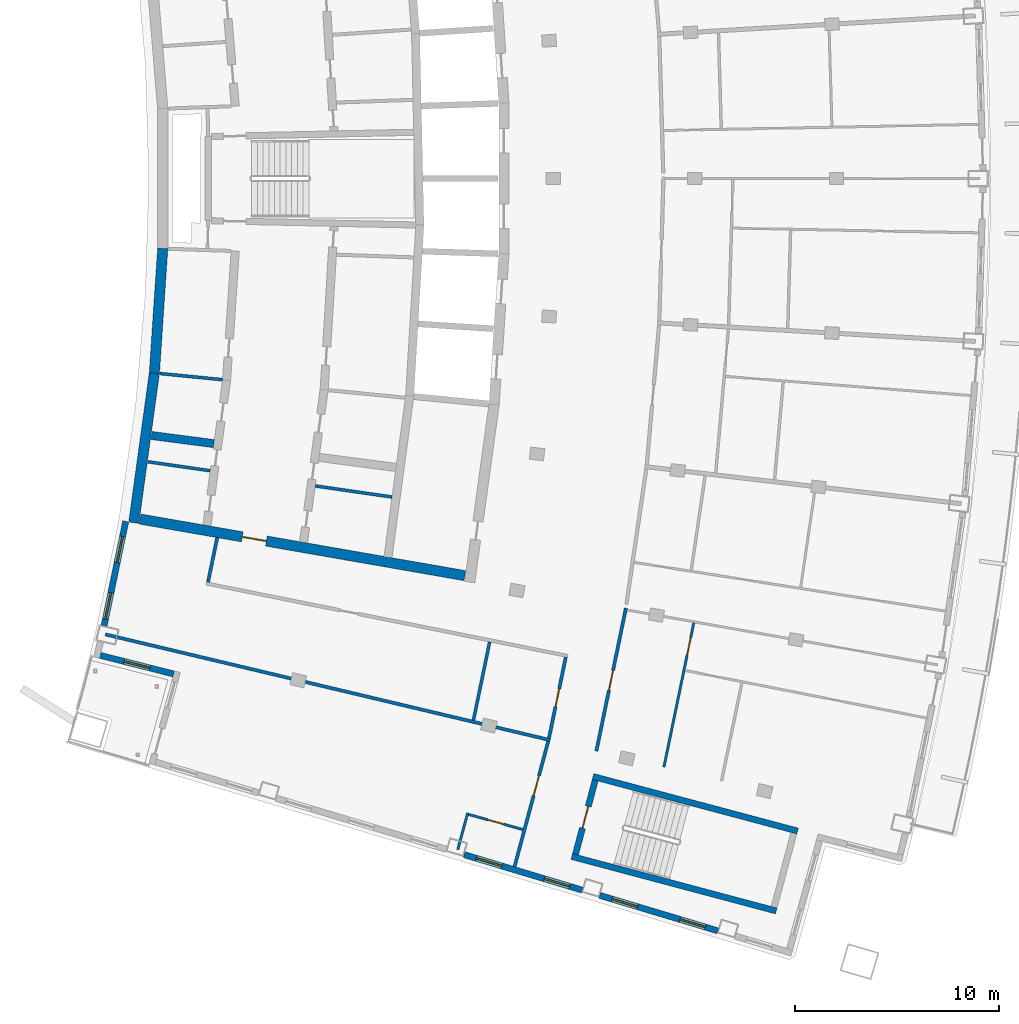
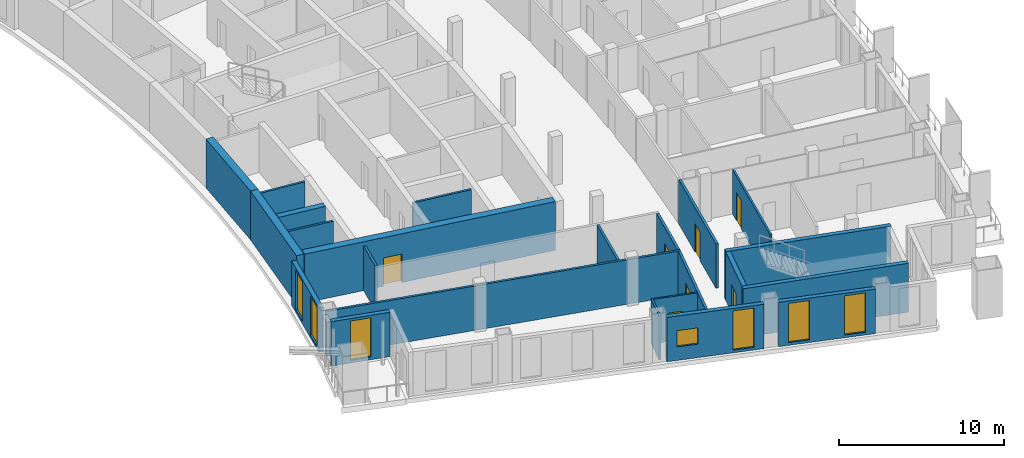
# One storey, part 7 of 17: 23 walls, 7 doors, 7 windows, 14 openings.
"""IFC4 building model written with IfcOpenShell, lengths in metres."""

from ifc_helpers import new_model, si_unit, direction, frame, frame_2d, origin, place, context, subcontext, project, spatial, rectangle, extrude, material, layer, layer_set, type_object, element, fill, save


model = new_model("IFC4")

# Units and contexts
model_context = context("Model", 3, precision=1e-05, world=origin(), true_north=direction((0.0, 1.0)))
body_context = subcontext(model_context, "Body", "Model", "MODEL_VIEW")
ifc_project = project(units=[si_unit("LENGTHUNIT", "METRE"), si_unit("AREAUNIT", "SQUARE_METRE"), si_unit("VOLUMEUNIT", "CUBIC_METRE"), si_unit("PLANEANGLEUNIT", "RADIAN"), si_unit("MASSUNIT", "GRAM", prefix="KILO")], contexts=[model_context])

# Site, building, storey
site_placement = place(None, origin())
site = spatial("IfcSite", under=ifc_project, at=site_placement, CompositionType="ELEMENT")
building_placement = place(site_placement, origin())
building = spatial("IfcBuilding", under=site, at=building_placement, Name="Alderwake Tower", CompositionType="ELEMENT")
storey_placement = place(building_placement, frame((0.0, 0.0, 260.0)))
storey = spatial("IfcBuildingStorey", under=building, at=storey_placement, Name="L64", CompositionType="ELEMENT", Elevation=260.0)

# Walls
ifc_material_1 = material(Name="Gypsum shaft wall system, rated")
ifc_layer_1 = layer(ifc_material_1, 0.14990234375)
ifc_layer_set_1 = layer_set([ifc_layer_1], Name="Core room partition 150")
wall_type_1 = type_object("IfcWallType", Name="Core room partition 150", PredefinedType="PARTITIONING", material=ifc_layer_set_1)
wall_1_placement = place(storey_placement, frame((15.965576171875, 47.13916015625, 0.0), z_axis=(0.0, 0.0, 1.0), x_axis=(0.989737455728, -0.142897756207, 0.0)))
element("IfcWall", 1, at=wall_1_placement, inside=storey, type_object=wall_type_1, Name="CW/L64/PR-150_+0", PredefinedType="PARTITIONING", context=body_context, shape_type="SweptSolid", body=[
    extrude(rectangle(XDim=3.07861328125, YDim=0.14990234375, at=frame_2d((1.539306640625, 0.0))), origin(), (0.0, 0.0, 1.0), 3.280029296875),
])
wall_2_placement = place(storey_placement, frame((24.156005859375, 45.956298828125, 0.0), z_axis=(0.0, 0.0, 1.0), x_axis=(0.989733513529, -0.142925057975, 0.0)))
element("IfcWall", 2, at=wall_2_placement, inside=storey, type_object=wall_type_1, Name="CW/L64/PR-150_+86", PredefinedType="PARTITIONING", context=body_context, shape_type="SweptSolid", body=[
    extrude(rectangle(XDim=3.795654296875, YDim=0.14990234375, at=frame_2d((1.89794921875, 0.0))), origin(), (0.0, 0.0, 1.0), 3.280029296875),
])
wall_3_placement = place(storey_placement, frame((16.559814453125, 51.458251953125, 0.0), z_axis=(0.0, 0.0, 1.0), x_axis=(0.99515693677, -0.098298887065, 0.0)))
element("IfcWall", 3, at=wall_3_placement, inside=storey, type_object=wall_type_1, Name="CW/L64/PR-103_+0", PredefinedType="PARTITIONING", context=body_context, shape_type="SweptSolid", body=[
    extrude(rectangle(XDim=3.06982421875, YDim=0.14990234375, at=frame_2d((1.534912109375, 0.0))), origin(), (0.0, 0.0, 1.0), 3.280029296875),
])
ifc_material_2 = material(Name="Concrete C70/85", Category="concrete")
ifc_layer_2 = layer(ifc_material_2, 0.5)
ifc_layer_set_2 = layer_set([ifc_layer_2], Name="Core wall outer 500 C70-85")
wall_type_2 = type_object("IfcWallType", Name="Core wall outer 500 C70-85", PredefinedType="SHEAR", material=ifc_layer_set_2)
wall_4_placement = place(storey_placement, frame((15.272216796875, 44.155029296875, 0.0), z_axis=(0.0, 0.0, 1.0), x_axis=(0.13632182908, 0.990664604655, 0.0)))
element("IfcWall", 4, at=wall_4_placement, inside=storey, type_object=wall_type_2, Name="Core wall CW.028", PredefinedType="SHEAR", context=body_context, shape_type="SweptSolid", body=[
    extrude(rectangle(XDim=7.408935546875, YDim=0.5, at=frame_2d((3.70458984375, 0.0))), origin(), (0.0, 0.0, 1.0), 3.60009765625),
])
wall_5_placement = place(storey_placement, frame((16.280517578125, 51.4765625, 0.0), z_axis=(0.0, 0.0, 1.0), x_axis=(0.066863022947, 0.997762164127, 0.0)))
element("IfcWall", 5, at=wall_5_placement, inside=storey, type_object=wall_type_2, Name="Core wall CW.027", PredefinedType="SHEAR", context=body_context, shape_type="SweptSolid", body=[
    extrude(rectangle(XDim=6.123291015625, YDim=0.5, at=frame_2d((3.0615234375, 0.0))), origin(), (0.0, 0.0, 1.0), 3.60009765625),
])

# Wall, opening, door
wall_6_placement = place(storey_placement, frame((31.47802734375, 41.564453125, 0.0), z_axis=(0.0, 0.0, 1.0), x_axis=(-0.985140274783, 0.171751678306, 0.0)))
wall_6 = element("IfcWall", 6, at=wall_6_placement, inside=storey, type_object=wall_type_2, Name="Core wall CW.072", PredefinedType="SHEAR", context=body_context, shape_type="SweptSolid", body=[
    extrude(rectangle(XDim=16.137939453125, YDim=0.5, at=frame_2d((8.06884765625, 0.0))), origin(), (0.0, 0.0, 1.0), 3.60009765625),
])
opening_1_placement = place(wall_6_placement, frame((9.859619140625, 0.0, 0.0)))
opening_1 = element("IfcOpeningElement", 7, at=opening_1_placement, cuts=wall_6, Name="Opening C003", PredefinedType="OPENING", context=body_context, shape_type="SweptSolid", body=[
    extrude(rectangle(XDim=1.199951171875, YDim=2.10009765625, at=frame_2d((0.60009765625, 1.050048828125))), frame((0.0, 0.260009765625, 0.0), z_axis=(0.0, -1.0, 0.0), x_axis=(1.0, 0.0, 0.0)), (0.0, 0.0, 1.0), 0.52001953125),
])
ifc_material_3 = material(Name="Steel-framed fire door leaf", Category="steel")
door_type_1 = type_object("IfcDoorType", Name="Core lobby exit door 1200 fire-rated", OperationType="SINGLE_SWING_LEFT", PredefinedType="DOOR", material=ifc_material_3)
door_1_placement = place(opening_1_placement, origin())
door_1 = element("IfcDoor", 8, at=door_1_placement, inside=storey, type_object=door_type_1, Name="Lobby door", OperationType="SINGLE_SWING_LEFT", OverallHeight=2.10009765625, OverallWidth=1.199951171875, PredefinedType="DOOR", context=body_context, shape_type="SweptSolid", body=[
    extrude(rectangle(XDim=1.199951171875, YDim=2.10009765625, at=frame_2d((0.60009765625, 1.050048828125))), frame((0.0, 0.02490234375, 0.0), z_axis=(0.0, -1.0, 0.0), x_axis=(1.0, 0.0, 0.0)), (0.0, 0.0, 1.0), 0.050048828125),
])
fill(opening_1, door_1)

# Walls
ifc_material_4 = material(Name="Concrete C70/85", Category="concrete")
ifc_layer_3 = layer(ifc_material_4, 0.39990234375)
ifc_layer_set_3 = layer_set([ifc_layer_3], Name="Core wall spine 400 C70-85")
wall_type_3 = type_object("IfcWallType", Name="Core wall spine 400 C70-85", PredefinedType="SHEAR", material=ifc_layer_set_3)
wall_7_placement = place(storey_placement, frame((16.142578125, 48.42529296875, 0.0), z_axis=(0.0, 0.0, 1.0), x_axis=(0.991550757989, -0.129719290517, 0.0)))
element("IfcWall", 9, at=wall_7_placement, inside=storey, type_object=wall_type_3, Name="Core wall CW.067", PredefinedType="SHEAR", context=body_context, shape_type="SweptSolid", body=[
    extrude(rectangle(XDim=3.0751953125, YDim=0.39990234375, at=frame_2d((1.53759765625, 0.0))), origin(), (0.0, 0.0, 1.0), 3.60009765625),
])
ifc_material_5 = material(Name="Concrete C70/85", Category="concrete")
ifc_layer_4 = layer(ifc_material_5, 0.300048828125)
ifc_layer_set_4 = layer_set([ifc_layer_4], Name="Core wall stair enclosure 300 C70-85")
wall_type_4 = type_object("IfcWallType", Name="Core wall stair enclosure 300 C70-85", PredefinedType="SHEAR", material=ifc_layer_set_4)
for number, where, z_axis, x_axis, name in (
    (10, (37.75390625, 31.731201171875, 0.0), (0.0, 0.0, 1.0), (0.966309214305, -0.257383958996, 0.0), "Core wall CW.086"),
    (11, (36.71142578125, 27.817626953125, 0.0), (0.0, 0.0, 1.0), (0.966309214305, -0.257383958996, 0.0), "Core wall CW.088"),
):
    element("IfcWall", number, at=place(storey_placement, frame(where, z_axis=z_axis, x_axis=x_axis)), inside=storey, type_object=wall_type_4, Name=name, PredefinedType="SHEAR", context=body_context, shape_type="SweptSolid", body=[
        extrude(rectangle(XDim=10.360107421875, YDim=0.300048828125, at=frame_2d((5.18017578125, 0.0))), origin(), (0.0, 0.0, 1.0), 3.60009765625),
    ])

# Wall, opening, door
wall_8_placement = place(storey_placement, frame((36.89501953125, 27.923828125, 0.0), z_axis=(0.0, 0.0, 1.0), x_axis=(0.257350630826, 0.966318090907, 0.0)))
wall_8 = element("IfcWall", 12, at=wall_8_placement, inside=storey, type_object=wall_type_4, Name="Core wall CW.087", PredefinedType="SHEAR", context=body_context, shape_type="SweptSolid", body=[
    extrude(rectangle(XDim=3.75, YDim=0.300048828125, at=frame_2d((1.875, 0.0))), origin(), (0.0, 0.0, 1.0), 3.60009765625),
])
opening_2_placement = place(wall_8_placement, frame((1.324951171875, 0.0, 0.0)))
opening_2 = element("IfcOpeningElement", 13, at=opening_2_placement, cuts=wall_8, Name="Opening C065", PredefinedType="OPENING", context=body_context, shape_type="SweptSolid", body=[
    extrude(rectangle(XDim=1.10009765625, YDim=2.10009765625, at=frame_2d((0.550048828125, 1.050048828125))), frame((0.0, 0.159912109375, 0.0), z_axis=(0.0, -1.0, 0.0), x_axis=(1.0, 0.0, 0.0)), (0.0, 0.0, 1.0), 0.320068359375),
])
ifc_material_6 = material(Name="Steel-framed fire door leaf", Category="steel")
door_type_2 = type_object("IfcDoorType", Name="Core stair door 1100 fire-rated", OperationType="SINGLE_SWING_LEFT", PredefinedType="DOOR", material=ifc_material_6)
door_2_placement = place(opening_2_placement, origin())
door_2 = element("IfcDoor", 14, at=door_2_placement, inside=storey, type_object=door_type_2, Name="Stair door", OperationType="SINGLE_SWING_RIGHT", OverallHeight=2.10009765625, OverallWidth=1.10009765625, PredefinedType="DOOR", context=body_context, shape_type="SweptSolid", body=[
    extrude(rectangle(XDim=1.10009765625, YDim=2.10009765625, at=frame_2d((0.550048828125, 1.050048828125))), frame((0.0, 0.02490234375, 0.0), z_axis=(0.0, -1.0, 0.0), x_axis=(1.0, 0.0, 0.0)), (0.0, 0.0, 1.0), 0.050048828125),
])
fill(opening_2, door_2)

# Walls
ifc_material_7 = material(Name="Gypsum board on metal studs, rated")
ifc_layer_5 = layer(ifc_material_7, 0.159912109375)
ifc_layer_set_5 = layer_set([ifc_layer_5], Name="Corridor wall 160")
wall_type_5 = type_object("IfcWallType", Name="Corridor wall 160", PredefinedType="PARTITIONING", material=ifc_layer_set_5)
wall_9_placement = place(storey_placement, frame((13.884033203125, 38.68798828125, 0.0), z_axis=(0.0, 0.0, 1.0), x_axis=(0.972893462073, -0.231253781493, 0.0)))
element("IfcWall", 15, at=wall_9_placement, inside=storey, type_object=wall_type_5, Name="WL/L64/W09", PredefinedType="PARTITIONING", context=body_context, shape_type="SweptSolid", body=[
    extrude(rectangle(XDim=22.38037109375, YDim=0.159912109375, at=frame_2d((11.190185546875, 0.0))), origin(), (0.0, 0.0, 1.0), 3.280029296875),
])
wall_10_placement = place(storey_placement, frame((19.35888671875, 43.430908203125, 0.0), z_axis=(0.0, 0.0, 1.0), x_axis=(-0.202554916658, -0.979270905183, 0.0)))
element("IfcWall", 16, at=wall_10_placement, inside=storey, type_object=wall_type_5, Name="WL/L64/W11", PredefinedType="PARTITIONING", context=body_context, shape_type="SweptSolid", body=[
    extrude(rectangle(XDim=2.229736328125, YDim=0.159912109375, at=frame_2d((1.11474609375, 0.0))), origin(), (0.0, 0.0, 1.0), 3.280029296875),
])

# Wall, opening, door
wall_11_placement = place(storey_placement, frame((33.912109375, 27.321044921875, 0.0), z_axis=(0.0, 0.0, 1.0), x_axis=(0.259370874835, 0.965777794986, 0.0)))
wall_11 = element("IfcWall", 17, at=wall_11_placement, inside=storey, type_object=wall_type_5, Name="WL/L64/W14", PredefinedType="PARTITIONING", context=body_context, shape_type="SweptSolid", body=[
    extrude(rectangle(XDim=6.349853515625, YDim=0.159912109375, at=frame_2d((3.1748046875, 0.0))), origin(), (0.0, 0.0, 1.0), 3.280029296875),
])
opening_3_placement = place(wall_11_placement, frame((3.603515625, 0.0, 0.0)))
opening_3 = element("IfcOpeningElement", 18, at=opening_3_placement, cuts=wall_11, Name="Opening R18-U08.1", PredefinedType="OPENING", context=body_context, shape_type="SweptSolid", body=[
    extrude(rectangle(XDim=1.0, YDim=2.10009765625, at=frame_2d((0.5, 1.050048828125))), frame((0.0, 0.08984375, 0.0), z_axis=(0.0, -1.0, 0.0), x_axis=(1.0, 0.0, 0.0)), (0.0, 0.0, 1.0), 0.179931640625),
])
ifc_material_8 = material(Name="Solid timber leaf in steel frame", Category="steel")
door_type_3 = type_object("IfcDoorType", Name="Flat entrance door 1000 fire-rated", OperationType="SINGLE_SWING_LEFT", PredefinedType="DOOR", material=ifc_material_8)
door_3_placement = place(opening_3_placement, origin())
door_3 = element("IfcDoor", 19, at=door_3_placement, inside=storey, type_object=door_type_3, Name="DR/L64/U08.1", OperationType="SINGLE_SWING_LEFT", OverallHeight=2.10009765625, OverallWidth=1.0, PredefinedType="DOOR", context=body_context, shape_type="SweptSolid", body=[
    extrude(rectangle(XDim=1.0, YDim=2.10009765625, at=frame_2d((0.5, 1.050048828125))), frame((0.0, 0.02490234375, 0.0), z_axis=(0.0, -1.0, 0.0), x_axis=(1.0, 0.0, 0.0)), (0.0, 0.0, 1.0), 0.050048828125),
])
fill(opening_3, door_3)

wall_12_placement = place(storey_placement, frame((35.59619140625, 33.609375, 0.0), z_axis=(0.0, 0.0, 1.0), x_axis=(0.203245920818, 0.979127721838, 0.0)))
wall_12 = element("IfcWall", 20, at=wall_12_placement, inside=storey, type_object=wall_type_5, Name="WL/L64/W17", PredefinedType="PARTITIONING", context=body_context, shape_type="SweptSolid", body=[
    extrude(rectangle(XDim=4.046875, YDim=0.159912109375, at=frame_2d((2.0234375, 0.0))), origin(), (0.0, 0.0, 1.0), 3.280029296875),
])
opening_4_placement = place(wall_12_placement, frame((1.573486328125, 0.0, 0.0)))
opening_4 = element("IfcOpeningElement", 21, at=opening_4_placement, cuts=wall_12, Name="Opening R18-SBS2", PredefinedType="OPENING", context=body_context, shape_type="SweptSolid", body=[
    extrude(rectangle(XDim=0.89990234375, YDim=2.10009765625, at=frame_2d((0.449951171875, 1.050048828125))), frame((0.0, 0.08984375, 0.0), z_axis=(0.0, -1.0, 0.0), x_axis=(1.0, 0.0, 0.0)), (0.0, 0.0, 1.0), 0.179931640625),
])
ifc_material_9 = material(Name="Painted timber leaf", Category="wood")
door_type_4 = type_object("IfcDoorType", Name="Room door 900", OperationType="SINGLE_SWING_LEFT", PredefinedType="DOOR", material=ifc_material_9)
door_4_placement = place(opening_4_placement, origin())
door_4 = element("IfcDoor", 22, at=door_4_placement, inside=storey, type_object=door_type_4, Name="DR/L64/SBS2", OperationType="SINGLE_SWING_LEFT", OverallHeight=2.10009765625, OverallWidth=0.89990234375, PredefinedType="DOOR", context=body_context, shape_type="SweptSolid", body=[
    extrude(rectangle(XDim=0.89990234375, YDim=2.10009765625, at=frame_2d((0.449951171875, 1.050048828125))), frame((0.0, 0.02490234375, 0.0), z_axis=(0.0, -1.0, 0.0), x_axis=(1.0, 0.0, 0.0)), (0.0, 0.0, 1.0), 0.050048828125),
])
fill(opening_4, door_4)

wall_13_placement = place(storey_placement, frame((39.3642578125, 39.975341796875, 0.0), z_axis=(0.0, 0.0, 1.0), x_axis=(-0.202490391407, -0.979284249535, 0.0)))
wall_13 = element("IfcWall", 23, at=wall_13_placement, inside=storey, type_object=wall_type_5, Name="WL/L64/W19", PredefinedType="PARTITIONING", context=body_context, shape_type="SweptSolid", body=[
    extrude(rectangle(XDim=7.147216796875, YDim=0.159912109375, at=frame_2d((3.57373046875, 0.0))), origin(), (0.0, 0.0, 1.0), 3.280029296875),
])
opening_5_placement = place(wall_13_placement, frame((3.113037109375, 0.0, 0.0)))
opening_5 = element("IfcOpeningElement", 24, at=opening_5_placement, cuts=wall_13, Name="Opening R18-U03.1", PredefinedType="OPENING", context=body_context, shape_type="SweptSolid", body=[
    extrude(rectangle(XDim=1.0, YDim=2.10009765625, at=frame_2d((0.5, 1.050048828125))), frame((0.0, 0.08984375, 0.0), z_axis=(0.0, -1.0, 0.0), x_axis=(1.0, 0.0, 0.0)), (0.0, 0.0, 1.0), 0.179931640625),
])
door_5_placement = place(opening_5_placement, origin())
door_5 = element("IfcDoor", 25, at=door_5_placement, inside=storey, type_object=door_type_3, Name="DR/L64/U03.1", OperationType="SINGLE_SWING_LEFT", OverallHeight=2.10009765625, OverallWidth=1.0, PredefinedType="DOOR", context=body_context, shape_type="SweptSolid", body=[
    extrude(rectangle(XDim=1.0, YDim=2.10009765625, at=frame_2d((0.5, 1.050048828125))), frame((0.0, 0.02490234375, 0.0), z_axis=(0.0, -1.0, 0.0), x_axis=(1.0, 0.0, 0.0)), (0.0, 0.0, 1.0), 0.050048828125),
])
fill(opening_5, door_5)

# Wall, openings, windows
ifc_material_10 = material(Name="Precast concrete C50/60 spandrel panel", Category="concrete")
ifc_layer_6 = layer(ifc_material_10, 0.300048828125)
ifc_layer_set_6 = layer_set([ifc_layer_6], Name="External wall EW1 Precast concrete C50/60 spandrel")
wall_type_6 = type_object("IfcWallType", Name="External wall EW1 Precast concrete C50/60 spandrel", PredefinedType="SOLIDWALL", material=ifc_layer_set_6)
wall_14_placement = place(storey_placement, frame((14.878173828125, 44.223388671875, 0.0), z_axis=(0.0, 0.0, 1.0), x_axis=(-0.202760516883, -0.979228355795, 0.0)))
wall_14 = element("IfcWall", 26, at=wall_14_placement, inside=storey, type_object=wall_type_6, Name="External wall 32", PredefinedType="SOLIDWALL", context=body_context, shape_type="SweptSolid", body=[
    extrude(rectangle(XDim=5.211181640625, YDim=0.300048828125, at=frame_2d((2.60546875, 0.0))), origin(), (0.0, 0.0, 1.0), 3.280029296875),
])
opening_6_placement = place(wall_14_placement, frame((0.75634765625, 0.0, 0.199951171875)))
opening_6 = element("IfcOpeningElement", 27, at=opening_6_placement, cuts=wall_14, Name="Opening W1", PredefinedType="OPENING", context=body_context, shape_type="SweptSolid", body=[
    extrude(rectangle(XDim=1.300048828125, YDim=2.89990234375, at=frame_2d((0.64990234375, 1.449951171875))), frame((0.0, 0.159912109375, 0.0), z_axis=(0.0, -1.0, 0.0), x_axis=(1.0, 0.0, 0.0)), (0.0, 0.0, 1.0), 0.320068359375),
])
opening_7_placement = place(wall_14_placement, frame((3.569091796875, 0.0, 0.199951171875)))
opening_7 = element("IfcOpeningElement", 28, at=opening_7_placement, cuts=wall_14, Name="Opening W1", PredefinedType="OPENING", context=body_context, shape_type="SweptSolid", body=[
    extrude(rectangle(XDim=1.300048828125, YDim=2.89990234375, at=frame_2d((0.64990234375, 1.449951171875))), frame((0.0, 0.159912109375, 0.0), z_axis=(0.0, -1.0, 0.0), x_axis=(1.0, 0.0, 0.0)), (0.0, 0.0, 1.0), 0.320068359375),
])
ifc_material_11 = material(Name="Bronze tinted glass in aluminium frame", Category="aluminium")
window_type_1 = type_object("IfcWindowType", Name="Window W1 tall fixed and vent", PartitioningType="DOUBLE_PANEL_VERTICAL", PredefinedType="WINDOW", material=ifc_material_11)
window_1_placement = place(opening_6_placement, origin())
window_1 = element("IfcWindow", 29, at=window_1_placement, inside=storey, type_object=window_type_1, Name="Window W1 tall fixed and vent", OverallHeight=2.89990234375, OverallWidth=1.300048828125, PartitioningType="DOUBLE_PANEL_VERTICAL", PredefinedType="WINDOW", context=body_context, shape_type="SweptSolid", body=[
    extrude(rectangle(XDim=1.300048828125, YDim=2.89990234375, at=frame_2d((0.64990234375, 1.449951171875))), frame((0.0, 0.030029296875, 0.0), z_axis=(0.0, -1.0, 0.0), x_axis=(1.0, 0.0, 0.0)), (0.0, 0.0, 1.0), 0.06005859375),
])
fill(opening_6, window_1)
window_2_placement = place(opening_7_placement, origin())
window_2 = element("IfcWindow", 30, at=window_2_placement, inside=storey, type_object=window_type_1, Name="Window W1 tall fixed and vent", OverallHeight=2.89990234375, OverallWidth=1.300048828125, PartitioningType="DOUBLE_PANEL_VERTICAL", PredefinedType="WINDOW", context=body_context, shape_type="SweptSolid", body=[
    extrude(rectangle(XDim=1.300048828125, YDim=2.89990234375, at=frame_2d((0.64990234375, 1.449951171875))), frame((0.0, 0.030029296875, 0.0), z_axis=(0.0, -1.0, 0.0), x_axis=(1.0, 0.0, 0.0)), (0.0, 0.0, 1.0), 0.06005859375),
])
fill(opening_7, window_2)

# Wall, opening, window
ifc_material_12 = material(Name="Bronze metal cladding on lightweight framing")
ifc_layer_7 = layer(ifc_material_12, 0.300048828125)
ifc_layer_set_7 = layer_set([ifc_layer_7], Name="External wall EW2 bronze metal cladding")
wall_type_7 = type_object("IfcWallType", Name="External wall EW2 bronze metal cladding", PredefinedType="SOLIDWALL", material=ifc_layer_set_7)
wall_15_placement = place(storey_placement, frame((13.633056640625, 37.660400390625, 0.0), z_axis=(0.0, 0.0, 1.0), x_axis=(0.969417366605, -0.245417948254, 0.0)))
wall_15 = element("IfcWall", 31, at=wall_15_placement, inside=storey, type_object=wall_type_7, Name="External wall 2", PredefinedType="SOLIDWALL", context=body_context, shape_type="SweptSolid", body=[
    extrude(rectangle(XDim=3.70556640625, YDim=0.300048828125, at=frame_2d((1.852783203125, 0.0))), origin(), (0.0, 0.0, 1.0), 3.280029296875),
])
opening_8_placement = place(wall_15_placement, frame((1.202880859375, 0.0, 0.199951171875)))
opening_8 = element("IfcOpeningElement", 32, at=opening_8_placement, cuts=wall_15, Name="Opening W1", PredefinedType="OPENING", context=body_context, shape_type="SweptSolid", body=[
    extrude(rectangle(XDim=1.300048828125, YDim=2.89990234375, at=frame_2d((0.64990234375, 1.449951171875))), frame((0.0, 0.159912109375, 0.0), z_axis=(0.0, -1.0, 0.0), x_axis=(1.0, 0.0, 0.0)), (0.0, 0.0, 1.0), 0.320068359375),
])
window_3_placement = place(opening_8_placement, origin())
window_3 = element("IfcWindow", 33, at=window_3_placement, inside=storey, type_object=window_type_1, Name="Window W1 tall fixed and vent", OverallHeight=2.89990234375, OverallWidth=1.300048828125, PartitioningType="DOUBLE_PANEL_VERTICAL", PredefinedType="WINDOW", context=body_context, shape_type="SweptSolid", body=[
    extrude(rectangle(XDim=1.300048828125, YDim=2.89990234375, at=frame_2d((0.64990234375, 1.449951171875))), frame((0.0, 0.030029296875, 0.0), z_axis=(0.0, -1.0, 0.0), x_axis=(1.0, 0.0, 0.0)), (0.0, 0.0, 1.0), 0.06005859375),
])
fill(opening_8, window_3)

# Wall, openings, windows
wall_16_placement = place(storey_placement, frame((31.441162109375, 27.90771484375, 0.0), z_axis=(0.0, 0.0, 1.0), x_axis=(0.957753821359, -0.287589321205, 0.0)))
wall_16 = element("IfcWall", 34, at=wall_16_placement, inside=storey, type_object=wall_type_7, Name="External wall 6", PredefinedType="SOLIDWALL", context=body_context, shape_type="SweptSolid", body=[
    extrude(rectangle(XDim=6.02978515625, YDim=0.300048828125, at=frame_2d((3.014892578125, 0.0))), origin(), (0.0, 0.0, 1.0), 3.280029296875),
])
opening_9_placement = place(wall_16_placement, frame((0.631591796875, 0.0, 1.0)))
opening_9 = element("IfcOpeningElement", 35, at=opening_9_placement, cuts=wall_16, Name="Opening W2", PredefinedType="OPENING", context=body_context, shape_type="SweptSolid", body=[
    extrude(rectangle(XDim=1.300048828125, YDim=1.199951171875, at=frame_2d((0.64990234375, 0.60009765625))), frame((0.0, 0.159912109375, 0.0), z_axis=(0.0, -1.0, 0.0), x_axis=(1.0, 0.0, 0.0)), (0.0, 0.0, 1.0), 0.320068359375),
])
opening_10_placement = place(wall_16_placement, frame((4.09814453125, 0.0, 0.199951171875)))
opening_10 = element("IfcOpeningElement", 36, at=opening_10_placement, cuts=wall_16, Name="Opening W1", PredefinedType="OPENING", context=body_context, shape_type="SweptSolid", body=[
    extrude(rectangle(XDim=1.300048828125, YDim=2.89990234375, at=frame_2d((0.64990234375, 1.449951171875))), frame((0.0, 0.159912109375, 0.0), z_axis=(0.0, -1.0, 0.0), x_axis=(1.0, 0.0, 0.0)), (0.0, 0.0, 1.0), 0.320068359375),
])
window_4_placement = place(opening_10_placement, origin())
window_4 = element("IfcWindow", 37, at=window_4_placement, inside=storey, type_object=window_type_1, Name="Window W1 tall fixed and vent", OverallHeight=2.89990234375, OverallWidth=1.300048828125, PartitioningType="DOUBLE_PANEL_VERTICAL", PredefinedType="WINDOW", context=body_context, shape_type="SweptSolid", body=[
    extrude(rectangle(XDim=1.300048828125, YDim=2.89990234375, at=frame_2d((0.64990234375, 1.449951171875))), frame((0.0, 0.030029296875, 0.0), z_axis=(0.0, -1.0, 0.0), x_axis=(1.0, 0.0, 0.0)), (0.0, 0.0, 1.0), 0.06005859375),
])
fill(opening_10, window_4)
ifc_material_13 = material(Name="Bronze tinted glass in aluminium frame", Category="aluminium")
window_type_2 = type_object("IfcWindowType", Name="Window W2 kitchen and bath", PartitioningType="SINGLE_PANEL", PredefinedType="WINDOW", material=ifc_material_13)
window_5_placement = place(opening_9_placement, origin())
window_5 = element("IfcWindow", 38, at=window_5_placement, inside=storey, type_object=window_type_2, Name="Window W2 kitchen and bath", OverallHeight=1.199951171875, OverallWidth=1.300048828125, PartitioningType="SINGLE_PANEL", PredefinedType="WINDOW", context=body_context, shape_type="SweptSolid", body=[
    extrude(rectangle(XDim=1.300048828125, YDim=1.199951171875, at=frame_2d((0.64990234375, 0.60009765625))), frame((0.0, 0.030029296875, 0.0), z_axis=(0.0, -1.0, 0.0), x_axis=(1.0, 0.0, 0.0)), (0.0, 0.0, 1.0), 0.06005859375),
])
fill(opening_9, window_5)

wall_17_placement = place(storey_placement, frame((38.08154296875, 25.913818359375, 0.0), z_axis=(0.0, 0.0, 1.0), x_axis=(0.957771667866, -0.287529880593, 0.0)))
wall_17 = element("IfcWall", 39, at=wall_17_placement, inside=storey, type_object=wall_type_7, Name="External wall 7", PredefinedType="SOLIDWALL", context=body_context, shape_type="SweptSolid", body=[
    extrude(rectangle(XDim=6.0302734375, YDim=0.300048828125, at=frame_2d((3.01513671875, 0.0))), origin(), (0.0, 0.0, 1.0), 3.280029296875),
])
opening_11_placement = place(wall_17_placement, frame((0.631591796875, 0.0, 0.199951171875)))
opening_11 = element("IfcOpeningElement", 40, at=opening_11_placement, cuts=wall_17, Name="Opening W1", PredefinedType="OPENING", context=body_context, shape_type="SweptSolid", body=[
    extrude(rectangle(XDim=1.300048828125, YDim=2.89990234375, at=frame_2d((0.64990234375, 1.449951171875))), frame((0.0, 0.159912109375, 0.0), z_axis=(0.0, -1.0, 0.0), x_axis=(1.0, 0.0, 0.0)), (0.0, 0.0, 1.0), 0.320068359375),
])
opening_12_placement = place(wall_17_placement, frame((4.098388671875, 0.0, 0.199951171875)))
opening_12 = element("IfcOpeningElement", 41, at=opening_12_placement, cuts=wall_17, Name="Opening W1", PredefinedType="OPENING", context=body_context, shape_type="SweptSolid", body=[
    extrude(rectangle(XDim=1.300048828125, YDim=2.89990234375, at=frame_2d((0.64990234375, 1.449951171875))), frame((0.0, 0.159912109375, 0.0), z_axis=(0.0, -1.0, 0.0), x_axis=(1.0, 0.0, 0.0)), (0.0, 0.0, 1.0), 0.320068359375),
])
window_6_placement = place(opening_11_placement, origin())
window_6 = element("IfcWindow", 42, at=window_6_placement, inside=storey, type_object=window_type_1, Name="Window W1 tall fixed and vent", OverallHeight=2.89990234375, OverallWidth=1.300048828125, PartitioningType="DOUBLE_PANEL_VERTICAL", PredefinedType="WINDOW", context=body_context, shape_type="SweptSolid", body=[
    extrude(rectangle(XDim=1.300048828125, YDim=2.89990234375, at=frame_2d((0.64990234375, 1.449951171875))), frame((0.0, 0.030029296875, 0.0), z_axis=(0.0, -1.0, 0.0), x_axis=(1.0, 0.0, 0.0)), (0.0, 0.0, 1.0), 0.06005859375),
])
fill(opening_11, window_6)
window_7_placement = place(opening_12_placement, origin())
window_7 = element("IfcWindow", 43, at=window_7_placement, inside=storey, type_object=window_type_1, Name="Window W1 tall fixed and vent", OverallHeight=2.89990234375, OverallWidth=1.300048828125, PartitioningType="DOUBLE_PANEL_VERTICAL", PredefinedType="WINDOW", context=body_context, shape_type="SweptSolid", body=[
    extrude(rectangle(XDim=1.300048828125, YDim=2.89990234375, at=frame_2d((0.64990234375, 1.449951171875))), frame((0.0, 0.030029296875, 0.0), z_axis=(0.0, -1.0, 0.0), x_axis=(1.0, 0.0, 0.0)), (0.0, 0.0, 1.0), 0.06005859375),
])
fill(opening_12, window_7)

# Walls
ifc_material_14 = material(Name="Gypsum shaft wall system, rated")
ifc_layer_8 = layer(ifc_material_14, 0.14990234375)
ifc_layer_set_8 = layer_set([ifc_layer_8], Name="Riser and shaft wall 150")
wall_type_8 = type_object("IfcWallType", Name="Riser and shaft wall 150", PredefinedType="PARTITIONING", material=ifc_layer_set_8)
wall_18_placement = place(storey_placement, frame((31.900146484375, 34.48828125, 0.0), z_axis=(0.0, 0.0, 1.0), x_axis=(0.20266545775, 0.979248034073, 0.0)))
element("IfcWall", 44, at=wall_18_placement, inside=storey, type_object=wall_type_8, Name="WL/L64/W05", PredefinedType="PARTITIONING", context=body_context, shape_type="SweptSolid", body=[
    extrude(rectangle(XDim=3.911376953125, YDim=0.14990234375, at=frame_2d((1.95556640625, 0.0))), origin(), (0.0, 0.0, 1.0), 3.280029296875),
])
ifc_material_15 = material(Name="Moisture resistant gypsum board on metal studs")
ifc_layer_9 = layer(ifc_material_15, 0.1201171875)
ifc_layer_set_9 = layer_set([ifc_layer_9], Name="Wet room partition 120")
wall_type_9 = type_object("IfcWallType", Name="Wet room partition 120", PredefinedType="PARTITIONING", material=ifc_layer_set_9)
wall_19_placement = place(storey_placement, frame((31.61767578125, 29.949951171875, 0.0), z_axis=(0.0, 0.0, 1.0), x_axis=(-0.260171283127, -0.965562480338, 0.0)))
element("IfcWall", 45, at=wall_19_placement, inside=storey, type_object=wall_type_9, Name="WL/L64/W30", PredefinedType="PARTITIONING", context=body_context, shape_type="SweptSolid", body=[
    extrude(rectangle(XDim=1.85888671875, YDim=0.1201171875, at=frame_2d((0.929443359375, 0.0))), origin(), (0.0, 0.0, 1.0), 3.280029296875),
])

# Wall, opening, door
wall_20_placement = place(storey_placement, frame((34.31787109375, 29.136474609375, 0.0), z_axis=(0.0, 0.0, 1.0), x_axis=(-0.963407530319, 0.268040912036, 0.0)))
wall_20 = element("IfcWall", 46, at=wall_20_placement, inside=storey, type_object=wall_type_9, Name="WL/L64/W31", PredefinedType="PARTITIONING", context=body_context, shape_type="SweptSolid", body=[
    extrude(rectangle(XDim=2.759033203125, YDim=0.1201171875, at=frame_2d((1.37939453125, 0.0))), origin(), (0.0, 0.0, 1.0), 3.280029296875),
])
opening_13_placement = place(wall_20_placement, frame((0.9794921875, 0.0, 0.0)))
opening_13 = element("IfcOpeningElement", 47, at=opening_13_placement, cuts=wall_20, Name="Opening R18-U08.2", PredefinedType="OPENING", context=body_context, shape_type="SweptSolid", body=[
    extrude(rectangle(XDim=0.800048828125, YDim=2.10009765625, at=frame_2d((0.39990234375, 1.050048828125))), frame((0.0, 0.070068359375, 0.0), z_axis=(0.0, -1.0, 0.0), x_axis=(1.0, 0.0, 0.0)), (0.0, 0.0, 1.0), 0.14013671875),
])
ifc_material_16 = material(Name="Painted timber leaf", Category="wood")
door_type_5 = type_object("IfcDoorType", Name="Bathroom door 800", OperationType="SINGLE_SWING_LEFT", PredefinedType="DOOR", material=ifc_material_16)
door_6_placement = place(opening_13_placement, origin())
door_6 = element("IfcDoor", 48, at=door_6_placement, inside=storey, type_object=door_type_5, Name="DR/L64/U08.2", OperationType="SINGLE_SWING_LEFT", OverallHeight=2.10009765625, OverallWidth=0.800048828125, PredefinedType="DOOR", context=body_context, shape_type="SweptSolid", body=[
    extrude(rectangle(XDim=0.800048828125, YDim=2.10009765625, at=frame_2d((0.39990234375, 1.050048828125))), frame((0.0, 0.02490234375, 0.0), z_axis=(0.0, -1.0, 0.0), x_axis=(1.0, 0.0, 0.0)), (0.0, 0.0, 1.0), 0.050048828125),
])
fill(opening_13, door_6)

wall_21_placement = place(storey_placement, frame((42.685791015625, 39.257080078125, 0.0), z_axis=(0.0, 0.0, 1.0), x_axis=(-0.202701804741, -0.979240510985, 0.0)))
wall_21 = element("IfcWall", 49, at=wall_21_placement, inside=storey, type_object=wall_type_9, Name="WL/L64/W33", PredefinedType="PARTITIONING", context=body_context, shape_type="SweptSolid", body=[
    extrude(rectangle(XDim=7.217041015625, YDim=0.1201171875, at=frame_2d((3.6083984375, 0.0))), origin(), (0.0, 0.0, 1.0), 3.280029296875),
])
opening_14_placement = place(wall_21_placement, frame((0.736083984375, 0.0, 0.0)))
opening_14 = element("IfcOpeningElement", 50, at=opening_14_placement, cuts=wall_21, Name="Opening R18-U03.2", PredefinedType="OPENING", context=body_context, shape_type="SweptSolid", body=[
    extrude(rectangle(XDim=0.89990234375, YDim=2.10009765625, at=frame_2d((0.449951171875, 1.050048828125))), frame((0.0, 0.070068359375, 0.0), z_axis=(0.0, -1.0, 0.0), x_axis=(1.0, 0.0, 0.0)), (0.0, 0.0, 1.0), 0.14013671875),
])
door_7_placement = place(opening_14_placement, origin())
door_7 = element("IfcDoor", 51, at=door_7_placement, inside=storey, type_object=door_type_4, Name="DR/L64/U03.2", OperationType="SINGLE_SWING_LEFT", OverallHeight=2.10009765625, OverallWidth=0.89990234375, PredefinedType="DOOR", context=body_context, shape_type="SweptSolid", body=[
    extrude(rectangle(XDim=0.89990234375, YDim=2.10009765625, at=frame_2d((0.449951171875, 1.050048828125))), frame((0.0, 0.02490234375, 0.0), z_axis=(0.0, -1.0, 0.0), x_axis=(1.0, 0.0, 0.0)), (0.0, 0.0, 1.0), 0.050048828125),
])
fill(opening_14, door_7)

save(model, "model.ifc")
